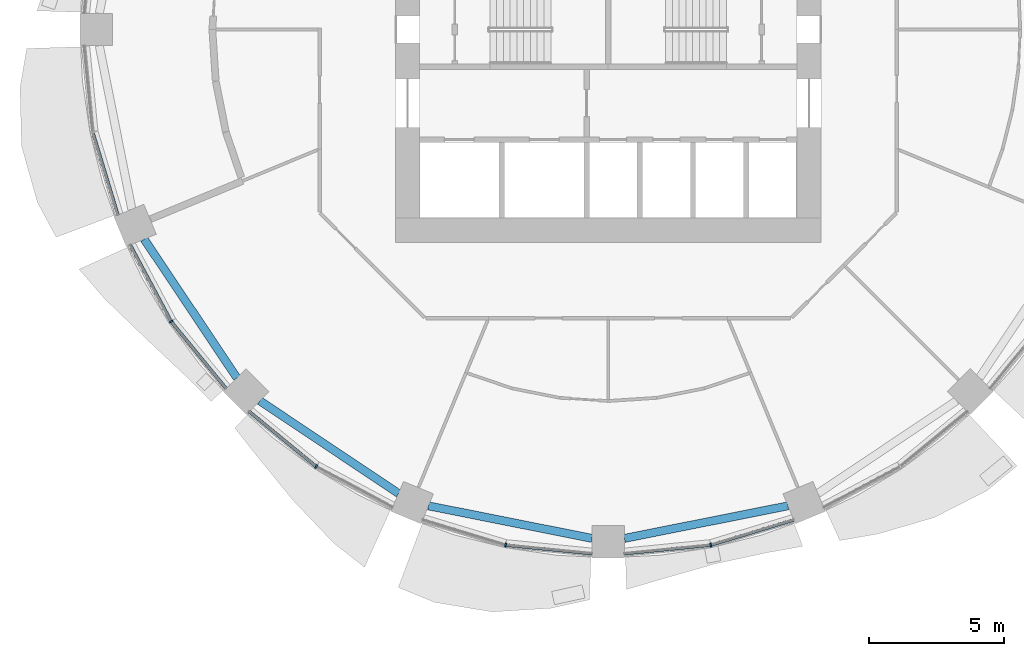
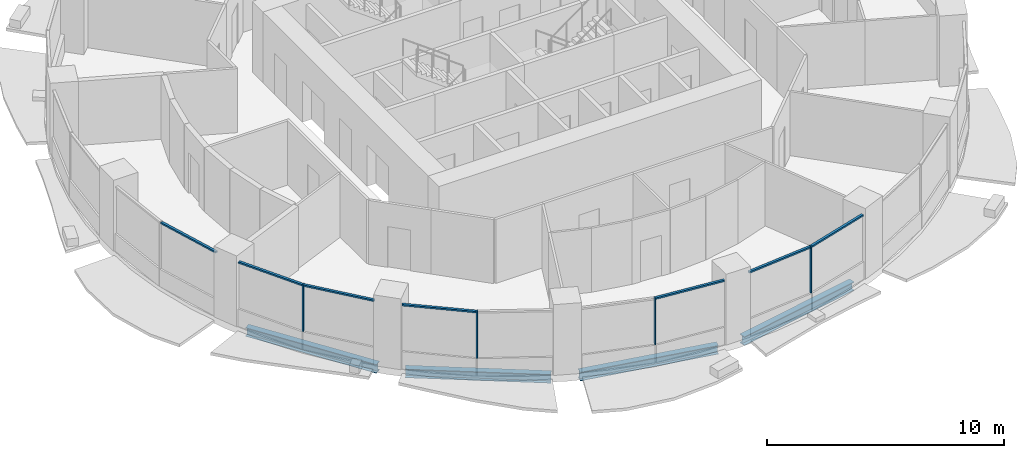
# One storey, part 2 of 15: 11 members, 4 beams, 5 elements without a shape of their own.
"""IFC4 building model written with IfcOpenShell, lengths in metres."""

from ifc_helpers import new_model, si_unit, direction, frame, origin, origin_2d, place, context, subcontext, project, spatial, rectangle, i_section, extrude, material, material_profile, profile_set, type_object, element, aggregate, save


model = new_model("IFC4")

# Units and contexts
model_context = context("Model", 3, precision=1e-05, world=origin(), true_north=direction((0.0, 1.0)))
body_context = subcontext(model_context, "Body", "Model", "MODEL_VIEW")
ifc_project = project(units=[si_unit("LENGTHUNIT", "METRE"), si_unit("AREAUNIT", "SQUARE_METRE"), si_unit("VOLUMEUNIT", "CUBIC_METRE"), si_unit("PLANEANGLEUNIT", "RADIAN"), si_unit("MASSUNIT", "GRAM", prefix="KILO")], contexts=[model_context])

# Site, building, storey
site_placement = place(None, origin())
site = spatial("IfcSite", under=ifc_project, at=site_placement, CompositionType="ELEMENT")
building_placement = place(site_placement, origin())
building = spatial("IfcBuilding", under=site, at=building_placement, Name="Polderwave Tower", CompositionType="ELEMENT")
storey_placement = place(building_placement, frame((0.0, 0.0, 59.050048828125)))
storey = spatial("IfcBuildingStorey", under=building, at=storey_placement, Name="L15", CompositionType="ELEMENT", Elevation=59.050048828125)

# Curtain wall, member
ifc_material_1 = material(Name="Aluminium 6063-T6 and glass", Category="aluminium")
curtain_wall_type = type_object("IfcCurtainWallType", Name="Growing floor ribbon glazing wall", PredefinedType="NOTDEFINED", material=ifc_material_1)
curtain_wall_1_placement = place(storey_placement, origin())
curtain_wall_1 = element("IfcCurtainWall", 1, at=curtain_wall_1_placement, inside=storey, type_object=curtain_wall_type, Name="CW2 L15 09", PredefinedType="NOTDEFINED")
ifc_material_2 = material(Name="Aluminium 6063-T6", Category="aluminium")
ifc_material_profile_1 = material_profile(ifc_material_2, rectangle(XDim=0.14990234375, YDim=0.06005859375, at=origin_2d()), Name="AL 60x150")
ifc_profile_set_1 = profile_set([ifc_material_profile_1], Name="Aluminium 6063-T6")
member_type_1 = type_object("IfcMemberType", Name="Growing floor ribbon glazing mullion 60x150", PredefinedType="MULLION", material=ifc_profile_set_1)
member_1_placement = place(storey_placement, frame((-16.1640625, -10.800048828125, 0.89990234375), z_axis=(0.0, 0.0, 1.0), x_axis=(0.831498700752, 0.555526696611, 0.0)))
member_1 = element("IfcMember", 2, at=member_1_placement, type_object=member_type_1, Name="CW2 mullion 1", PredefinedType="MULLION", context=body_context, shape_type="SweptSolid", body=[
    extrude(rectangle(XDim=0.14990234375, YDim=0.06005859375, at=origin_2d()), origin(), (0.0, 0.0, 1.0), 2.400146484375),
])

curtain_wall_2_placement = place(storey_placement, origin())
curtain_wall_2 = element("IfcCurtainWall", 3, at=curtain_wall_2_placement, inside=storey, type_object=curtain_wall_type, Name="CW2 L15 10", PredefinedType="NOTDEFINED")
member_2_placement = place(storey_placement, frame((-10.800048828125, -16.1640625, 0.89990234375), z_axis=(0.0, 0.0, 1.0), x_axis=(0.555526696611, 0.831498700752, 0.0)))
member_2 = element("IfcMember", 4, at=member_2_placement, type_object=member_type_1, Name="CW2 mullion 1", PredefinedType="MULLION", context=body_context, shape_type="SweptSolid", body=[
    extrude(rectangle(XDim=0.14990234375, YDim=0.06005859375, at=origin_2d()), origin(), (0.0, 0.0, 1.0), 2.400146484375),
])

curtain_wall_3_placement = place(storey_placement, origin())
curtain_wall_3 = element("IfcCurtainWall", 5, at=curtain_wall_3_placement, inside=storey, type_object=curtain_wall_type, Name="CW2 L15 11", PredefinedType="NOTDEFINED")
member_3_placement = place(storey_placement, frame((-3.79296875, -19.06591796875, 0.89990234375), z_axis=(0.0, 0.0, 1.0), x_axis=(0.195172487407, 0.980768933113, 0.0)))
member_3 = element("IfcMember", 6, at=member_3_placement, type_object=member_type_1, Name="CW2 mullion 1", PredefinedType="MULLION", context=body_context, shape_type="SweptSolid", body=[
    extrude(rectangle(XDim=0.14990234375, YDim=0.06005859375, at=origin_2d()), origin(), (0.0, 0.0, 1.0), 2.400146484375),
])

curtain_wall_4_placement = place(storey_placement, origin())
curtain_wall_4 = element("IfcCurtainWall", 7, at=curtain_wall_4_placement, inside=storey, type_object=curtain_wall_type, Name="CW2 L15 12", PredefinedType="NOTDEFINED")
member_4_placement = place(storey_placement, frame((3.79296875, -19.06591796875, 0.89990234375), z_axis=(0.0, 0.0, 1.0), x_axis=(-0.195172487407, 0.980768933113, 0.0)))
member_4 = element("IfcMember", 8, at=member_4_placement, type_object=member_type_1, Name="CW2 mullion 1", PredefinedType="MULLION", context=body_context, shape_type="SweptSolid", body=[
    extrude(rectangle(XDim=0.14990234375, YDim=0.06005859375, at=origin_2d()), origin(), (0.0, 0.0, 1.0), 2.400146484375),
])

curtain_wall_5_placement = place(storey_placement, origin())
curtain_wall_5 = element("IfcCurtainWall", 9, at=curtain_wall_5_placement, inside=storey, type_object=curtain_wall_type, Name="CW2 L15 08", PredefinedType="NOTDEFINED")
ifc_material_profile_2 = material_profile(ifc_material_2, rectangle(XDim=0.1201171875, YDim=0.080078125, at=origin_2d()), Name="AL 80x120")
ifc_profile_set_2 = profile_set([ifc_material_profile_2], Name="Aluminium 6063-T6")
member_type_2 = type_object("IfcMemberType", Name="Growing floor ribbon glazing transom 80x120", PredefinedType="USERDEFINED", material=ifc_profile_set_2)
member_5_placement = place(storey_placement, frame((-19.057373046875, -3.82177734375, 3.260009765625), z_axis=(0.290314495574, -0.956931289937, 0.0), x_axis=(0.956931289937, 0.290314495574, 0.0)))
member_5 = element("IfcMember", 10, at=member_5_placement, type_object=member_type_2, Name="CW2 transom 2", ObjectType="TRANSOM", PredefinedType="USERDEFINED", context=body_context, shape_type="SweptSolid", body=[
    extrude(rectangle(XDim=0.1201171875, YDim=0.080078125, at=origin_2d()), origin(), (0.0, 0.0, 1.0), 3.177001953125),
])
aggregate(curtain_wall_5, [member_5])

# Member
member_6_placement = place(storey_placement, frame((-17.676025390625, -7.970947265625, 3.260009765625), z_axis=(0.471417452258, -0.881910191406, 0.0), x_axis=(0.881910191406, 0.471417452258, 0.0)))
member_6 = element("IfcMember", 11, at=member_6_placement, type_object=member_type_2, Name="CW2 transom 1", ObjectType="TRANSOM", PredefinedType="USERDEFINED", context=body_context, shape_type="SweptSolid", body=[
    extrude(rectangle(XDim=0.1201171875, YDim=0.080078125, at=origin_2d()), origin(), (0.0, 0.0, 1.0), 3.177734375),
])

member_7_placement = place(storey_placement, frame((-16.14501953125, -10.8232421875, 3.260009765625), z_axis=(0.634370760679, -0.77302893736, 0.0), x_axis=(0.77302893736, 0.634370760679, 0.0)))
member_7 = element("IfcMember", 12, at=member_7_placement, type_object=member_type_2, Name="CW2 transom 2", ObjectType="TRANSOM", PredefinedType="USERDEFINED", context=body_context, shape_type="SweptSolid", body=[
    extrude(rectangle(XDim=0.1201171875, YDim=0.080078125, at=origin_2d()), origin(), (0.0, 0.0, 1.0), 3.17822265625),
])

aggregate(curtain_wall_1, [member_1, member_6, member_7])

member_8_placement = place(storey_placement, frame((-13.280029296875, -14.12890625, 3.260009765625), z_axis=(0.77302893736, -0.634370760679, 0.0), x_axis=(0.634370760679, 0.77302893736, 0.0)))
member_8 = element("IfcMember", 13, at=member_8_placement, type_object=member_type_2, Name="CW2 transom 1", ObjectType="TRANSOM", PredefinedType="USERDEFINED", context=body_context, shape_type="SweptSolid", body=[
    extrude(rectangle(XDim=0.1201171875, YDim=0.080078125, at=origin_2d()), origin(), (0.0, 0.0, 1.0), 3.17822265625),
])

aggregate(curtain_wall_2, [member_2, member_8])

member_9_placement = place(storey_placement, frame((-3.76318359375, -19.06884765625, 3.260009765625), z_axis=(0.995162633096, -0.098241201585, 0.0), x_axis=(0.098241201585, 0.995162633096, 0.0)))
member_9 = element("IfcMember", 14, at=member_9_placement, type_object=member_type_2, Name="CW2 transom 2", ObjectType="TRANSOM", PredefinedType="USERDEFINED", context=body_context, shape_type="SweptSolid", body=[
    extrude(rectangle(XDim=0.1201171875, YDim=0.080078125, at=origin_2d()), origin(), (0.0, 0.0, 1.0), 3.178466796875),
])

aggregate(curtain_wall_3, [member_3, member_9])

member_10_placement = place(storey_placement, frame((0.60009765625, -19.381103515625, 3.260009765625), z_axis=(0.995162633096, 0.098241201585, 0.0), x_axis=(-0.098241201585, 0.995162633096, 0.0)))
member_10 = element("IfcMember", 15, at=member_10_placement, type_object=member_type_2, Name="CW2 transom 1", ObjectType="TRANSOM", PredefinedType="USERDEFINED", context=body_context, shape_type="SweptSolid", body=[
    extrude(rectangle(XDim=0.1201171875, YDim=0.080078125, at=origin_2d()), origin(), (0.0, 0.0, 1.0), 3.178466796875),
])

member_11_placement = place(storey_placement, frame((3.82177734375, -19.057373046875, 3.260009765625), z_axis=(0.956931289937, 0.290314495574, 0.0), x_axis=(-0.290314495574, 0.956931289937, 0.0)))
member_11 = element("IfcMember", 16, at=member_11_placement, type_object=member_type_2, Name="CW2 transom 2", ObjectType="TRANSOM", PredefinedType="USERDEFINED", context=body_context, shape_type="SweptSolid", body=[
    extrude(rectangle(XDim=0.1201171875, YDim=0.080078125, at=origin_2d()), origin(), (0.0, 0.0, 1.0), 3.177001953125),
])

aggregate(curtain_wall_4, [member_4, member_10, member_11])

# Beams
ifc_material_3 = material(Name="Steel S355", Category="steel")
ifc_material_profile_3 = material_profile(ifc_material_3, i_section(OverallWidth=0.300048828125, OverallDepth=0.449951171875, WebThickness=0.013916015625, FlangeThickness=0.02587890625, at=origin_2d()), Name="HE 450 B")
ifc_profile_set_3 = profile_set([ifc_material_profile_3], Name="Steel S355")
beam_type = type_object("IfcBeamType", Name="RING BEAM HE 450 B", PredefinedType="BEAM", material=ifc_profile_set_3)
for number, where, z_axis, x_axis, name in (
    (17, (-17.158447265625, -7.756591796875, -0.574951171875), (0.555567831177, -0.831471217158, 0.0), (0.831471217158, 0.555567831177, 0.0), "ST-RB-L15-09"),
    (18, (-12.884033203125, -13.732421875, -0.574951171875), (0.831471217158, -0.555567831177, 0.0), (0.555567831177, 0.831471217158, 0.0), "ST-RB-L15-10"),
):
    element("IfcBeam", number, at=place(storey_placement, frame(where, z_axis=z_axis, x_axis=x_axis)), inside=storey, type_object=beam_type, Name=name, PredefinedType="BEAM", context=body_context, shape_type="SweptSolid", body=[
        extrude(i_section(OverallWidth=0.300048828125, OverallDepth=0.449951171875, WebThickness=0.013916015625, FlangeThickness=0.02587890625, at=origin_2d()), origin(), (0.0, 0.0, 1.0), 6.166748046875),
    ])
for number, where, z_axis, x_axis, name in (
    (19, (-6.64794921875, -17.61767578125, -0.574951171875), (0.980788743602, -0.195072910533, 0.0), (0.195072910533, 0.980788743602, 0.0), "ST-RB-L15-11"),
    (20, (0.60009765625, -18.820556640625, -0.574951171875), (0.980788743602, 0.195072910533, 0.0), (-0.195072910533, 0.980788743602, 0.0), "ST-RB-L15-12"),
):
    element("IfcBeam", number, at=place(storey_placement, frame(where, z_axis=z_axis, x_axis=x_axis)), inside=storey, type_object=beam_type, Name=name, PredefinedType="BEAM", context=body_context, shape_type="SweptSolid", body=[
        extrude(i_section(OverallWidth=0.300048828125, OverallDepth=0.449951171875, WebThickness=0.013916015625, FlangeThickness=0.02587890625, at=origin_2d()), origin(), (0.0, 0.0, 1.0), 6.166259765625),
    ])

save(model, "model.ifc")
